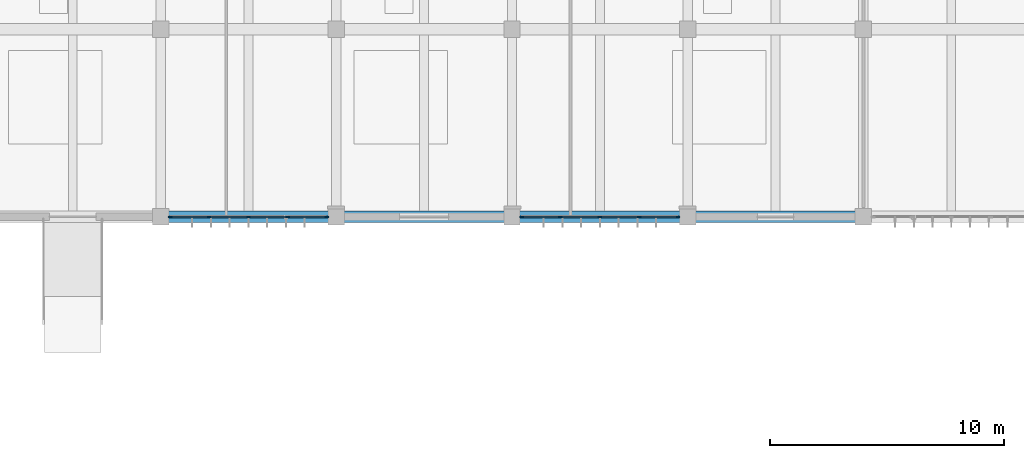
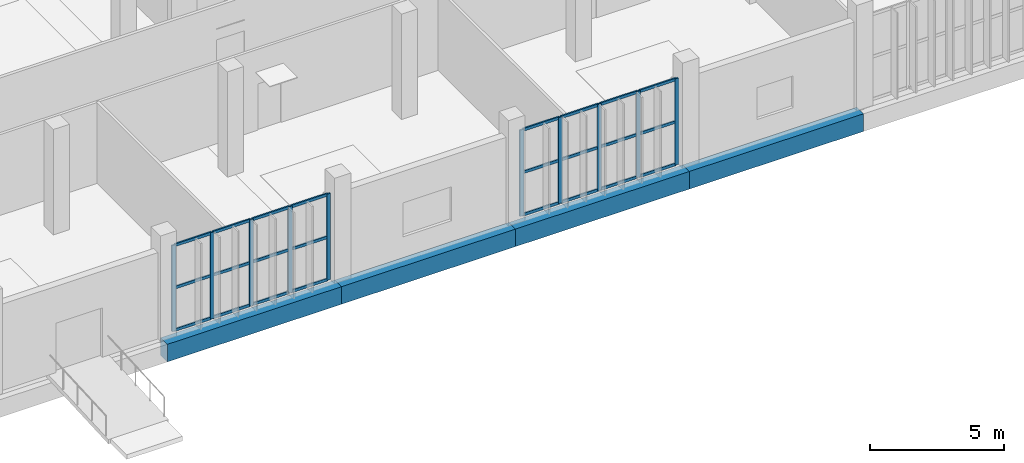
# One storey, part 17 of 72: 34 members, 4 beams, 2 elements without a shape of their own.
"""IFC4 building model written with IfcOpenShell, lengths in metres."""

from ifc_helpers import new_model, si_unit, direction, frame, origin, origin_2d, place, context, subcontext, project, spatial, rectangle, extrude, material, material_profile, profile_set, type_object, element, aggregate, save


model = new_model("IFC4")

# Units and contexts
model_context = context("Model", 3, precision=1e-05, world=origin(), true_north=direction((0.0, 1.0)))
body_context = subcontext(model_context, "Body", "Model", "MODEL_VIEW")
ifc_project = project(units=[si_unit("LENGTHUNIT", "METRE"), si_unit("AREAUNIT", "SQUARE_METRE"), si_unit("VOLUMEUNIT", "CUBIC_METRE"), si_unit("PLANEANGLEUNIT", "RADIAN"), si_unit("MASSUNIT", "GRAM", prefix="KILO")], contexts=[model_context])

# Site, building, storey
site_placement = place(None, origin())
site = spatial("IfcSite", under=ifc_project, at=site_placement, CompositionType="ELEMENT")
building_placement = place(site_placement, origin())
building = spatial("IfcBuilding", under=site, at=building_placement, Name="Vourika Railside Aquatics Centre", CompositionType="ELEMENT")
storey_placement = place(building_placement, origin())
storey = spatial("IfcBuildingStorey", under=building, at=storey_placement, Name="L00", CompositionType="ELEMENT", Elevation=0.0)

# Beams
ifc_material_1 = material(Name="Concrete C40/50", Category="concrete")
ifc_material_profile_1 = material_profile(ifc_material_1, rectangle(XDim=0.5, YDim=0.800048828125, at=origin_2d()), Name="RC 500x800")
ifc_profile_set_1 = profile_set([ifc_material_profile_1], Name="Concrete C40/50")
beam_type = type_object("IfcBeamType", Name="BM-TIE-500x800", PredefinedType="BEAM", material=ifc_profile_set_1)
for number, where, z_axis, x_axis, name in (
    (1, (66.0, 92.0, -0.719970703125), (1.0, 0.0, 0.0), (0.0, 1.0, 0.0), "Floor Beam GX-L00-130"),
    (2, (73.5, 92.0, -0.719970703125), (1.0, 0.0, 0.0), (0.0, 1.0, 0.0), "Floor Beam GX-L00-131"),
    (3, (81.0, 92.0, -0.719970703125), (1.0, 0.0, 0.0), (0.0, 1.0, 0.0), "Floor Beam GX-L00-132"),
    (4, (88.5, 92.0, -0.719970703125), (1.0, 0.0, 0.0), (0.0, 1.0, 0.0), "Floor Beam GX-L00-133"),
):
    element("IfcBeam", number, at=place(storey_placement, frame(where, z_axis=z_axis, x_axis=x_axis)), inside=storey, type_object=beam_type, Name=name, PredefinedType="BEAM", context=body_context, shape_type="SweptSolid", body=[
        extrude(rectangle(XDim=0.5, YDim=0.800048828125, at=origin_2d()), origin(), (0.0, 0.0, 1.0), 7.5),
    ])

# Curtain wall, members
ifc_material_2 = material(Name="Anodized thermally broken aluminium", Category="aluminium")
curtain_wall_type = type_object("IfcCurtainWallType", Name="CW-FIT0", PredefinedType="NOTDEFINED", material=ifc_material_2)
curtain_wall_1_placement = place(storey_placement, origin())
curtain_wall_1 = element("IfcCurtainWall", 5, at=curtain_wall_1_placement, inside=storey, type_object=curtain_wall_type, Name="Courtyard Fitness Curtain Wall L00-5", PredefinedType="NOTDEFINED")
ifc_material_3 = material(Name="Anodized aluminium mullion", Category="aluminium")
ifc_material_profile_2 = material_profile(ifc_material_3, rectangle(XDim=0.06494140625, YDim=0.1640625, at=origin_2d()), Name="ALU-M 65x164")
ifc_profile_set_2 = profile_set([ifc_material_profile_2], Name="Anodized aluminium mullion")
member_type_1 = type_object("IfcMemberType", Name="CWM-FIT0", PredefinedType="MULLION", material=ifc_profile_set_2)
member_1_placement = place(storey_placement, frame((66.41259765625, 92.0, 0.0), z_axis=(0.0, 0.0, 1.0), x_axis=(0.0, 1.0, 0.0)))
member_1 = element("IfcMember", 6, at=member_1_placement, type_object=member_type_1, Name="CW14 mullion 1", PredefinedType="MULLION", context=body_context, shape_type="SweptSolid", body=[
    extrude(rectangle(XDim=0.06494140625, YDim=0.1640625, at=origin_2d()), origin(), (0.0, 0.0, 1.0), 3.929931640625),
])
member_2_placement = place(storey_placement, frame((68.06494140625, 92.0, 0.0), z_axis=(0.0, 0.0, 1.0), x_axis=(0.0, 1.0, 0.0)))
member_2 = element("IfcMember", 7, at=member_2_placement, type_object=member_type_1, Name="CW14 mullion 2", PredefinedType="MULLION", context=body_context, shape_type="SweptSolid", body=[
    extrude(rectangle(XDim=0.06494140625, YDim=0.1640625, at=origin_2d()), origin(), (0.0, 0.0, 1.0), 3.929931640625),
])
member_3_placement = place(storey_placement, frame((69.75, 92.0, 0.0), z_axis=(0.0, 0.0, 1.0), x_axis=(0.0, 1.0, 0.0)))
member_3 = element("IfcMember", 8, at=member_3_placement, type_object=member_type_1, Name="CW14 mullion 3", PredefinedType="MULLION", context=body_context, shape_type="SweptSolid", body=[
    extrude(rectangle(XDim=0.06494140625, YDim=0.1640625, at=origin_2d()), origin(), (0.0, 0.0, 1.0), 3.929931640625),
])
member_4_placement = place(storey_placement, frame((71.43505859375, 92.0, 0.0), z_axis=(0.0, 0.0, 1.0), x_axis=(0.0, 1.0, 0.0)))
member_4 = element("IfcMember", 9, at=member_4_placement, type_object=member_type_1, Name="CW14 mullion 4", PredefinedType="MULLION", context=body_context, shape_type="SweptSolid", body=[
    extrude(rectangle(XDim=0.06494140625, YDim=0.1640625, at=origin_2d()), origin(), (0.0, 0.0, 1.0), 3.929931640625),
])
member_5_placement = place(storey_placement, frame((73.08740234375, 92.0, 0.0), z_axis=(0.0, 0.0, 1.0), x_axis=(0.0, 1.0, 0.0)))
member_5 = element("IfcMember", 10, at=member_5_placement, type_object=member_type_1, Name="CW14 mullion 5", PredefinedType="MULLION", context=body_context, shape_type="SweptSolid", body=[
    extrude(rectangle(XDim=0.06494140625, YDim=0.1640625, at=origin_2d()), origin(), (0.0, 0.0, 1.0), 3.929931640625),
])

curtain_wall_2_placement = place(storey_placement, origin())
curtain_wall_2 = element("IfcCurtainWall", 11, at=curtain_wall_2_placement, inside=storey, type_object=curtain_wall_type, Name="Courtyard Fitness Curtain Wall L00-7", PredefinedType="NOTDEFINED")
member_6_placement = place(storey_placement, frame((81.41259765625, 92.0, 0.0), z_axis=(0.0, 0.0, 1.0), x_axis=(0.0, 1.0, 0.0)))
member_6 = element("IfcMember", 12, at=member_6_placement, type_object=member_type_1, Name="CW14 mullion 1", PredefinedType="MULLION", context=body_context, shape_type="SweptSolid", body=[
    extrude(rectangle(XDim=0.06494140625, YDim=0.1640625, at=origin_2d()), origin(), (0.0, 0.0, 1.0), 3.929931640625),
])
member_7_placement = place(storey_placement, frame((83.06494140625, 92.0, 0.0), z_axis=(0.0, 0.0, 1.0), x_axis=(0.0, 1.0, 0.0)))
member_7 = element("IfcMember", 13, at=member_7_placement, type_object=member_type_1, Name="CW14 mullion 2", PredefinedType="MULLION", context=body_context, shape_type="SweptSolid", body=[
    extrude(rectangle(XDim=0.06494140625, YDim=0.1640625, at=origin_2d()), origin(), (0.0, 0.0, 1.0), 3.929931640625),
])
member_8_placement = place(storey_placement, frame((84.75, 92.0, 0.0), z_axis=(0.0, 0.0, 1.0), x_axis=(0.0, 1.0, 0.0)))
member_8 = element("IfcMember", 14, at=member_8_placement, type_object=member_type_1, Name="CW14 mullion 3", PredefinedType="MULLION", context=body_context, shape_type="SweptSolid", body=[
    extrude(rectangle(XDim=0.06494140625, YDim=0.1640625, at=origin_2d()), origin(), (0.0, 0.0, 1.0), 3.929931640625),
])
member_9_placement = place(storey_placement, frame((86.43505859375, 92.0, 0.0), z_axis=(0.0, 0.0, 1.0), x_axis=(0.0, 1.0, 0.0)))
member_9 = element("IfcMember", 15, at=member_9_placement, type_object=member_type_1, Name="CW14 mullion 4", PredefinedType="MULLION", context=body_context, shape_type="SweptSolid", body=[
    extrude(rectangle(XDim=0.06494140625, YDim=0.1640625, at=origin_2d()), origin(), (0.0, 0.0, 1.0), 3.929931640625),
])
member_10_placement = place(storey_placement, frame((88.08740234375, 92.0, 0.0), z_axis=(0.0, 0.0, 1.0), x_axis=(0.0, 1.0, 0.0)))
member_10 = element("IfcMember", 16, at=member_10_placement, type_object=member_type_1, Name="CW14 mullion 5", PredefinedType="MULLION", context=body_context, shape_type="SweptSolid", body=[
    extrude(rectangle(XDim=0.06494140625, YDim=0.1640625, at=origin_2d()), origin(), (0.0, 0.0, 1.0), 3.929931640625),
])

# Member
ifc_material_4 = material(Name="Anodized aluminium transom", Category="aluminium")
ifc_material_profile_3 = material_profile(ifc_material_4, rectangle(XDim=0.06494140625, YDim=0.1279296875, at=origin_2d()), Name="ALU-T 65x128")
ifc_profile_set_3 = profile_set([ifc_material_profile_3], Name="Anodized aluminium transom")
member_type_2 = type_object("IfcMemberType", Name="CWT-FIT0", PredefinedType="USERDEFINED", material=ifc_profile_set_3)
member_11_placement = place(storey_placement, frame((66.445068359375, 92.0, 0.032470703125), z_axis=(1.0, 0.0, 0.0), x_axis=(0.0, 1.0, 0.0)))
member_11 = element("IfcMember", 17, at=member_11_placement, type_object=member_type_2, Name="CW14 transom 1.1", ObjectType="TRANSOM", PredefinedType="USERDEFINED", context=body_context, shape_type="SweptSolid", body=[
    extrude(rectangle(XDim=0.06494140625, YDim=0.1279296875, at=origin_2d()), origin(), (0.0, 0.0, 1.0), 1.58740234375),
])

member_12_placement = place(storey_placement, frame((66.445068359375, 92.0, 1.965087890625), z_axis=(1.0, 0.0, 0.0), x_axis=(0.0, 1.0, 0.0)))
member_12 = element("IfcMember", 18, at=member_12_placement, type_object=member_type_2, Name="CW14 transom 1.2", ObjectType="TRANSOM", PredefinedType="USERDEFINED", context=body_context, shape_type="SweptSolid", body=[
    extrude(rectangle(XDim=0.06494140625, YDim=0.1279296875, at=origin_2d()), origin(), (0.0, 0.0, 1.0), 1.58740234375),
])

member_13_placement = place(storey_placement, frame((66.445068359375, 92.0, 3.8974609375), z_axis=(1.0, 0.0, 0.0), x_axis=(0.0, 1.0, 0.0)))
member_13 = element("IfcMember", 19, at=member_13_placement, type_object=member_type_2, Name="CW14 transom 1.3", ObjectType="TRANSOM", PredefinedType="USERDEFINED", context=body_context, shape_type="SweptSolid", body=[
    extrude(rectangle(XDim=0.06494140625, YDim=0.1279296875, at=origin_2d()), origin(), (0.0, 0.0, 1.0), 1.58740234375),
])

member_14_placement = place(storey_placement, frame((68.097412109375, 92.0, 0.032470703125), z_axis=(1.0, 0.0, 0.0), x_axis=(0.0, 1.0, 0.0)))
member_14 = element("IfcMember", 20, at=member_14_placement, type_object=member_type_2, Name="CW14 transom 2.1", ObjectType="TRANSOM", PredefinedType="USERDEFINED", context=body_context, shape_type="SweptSolid", body=[
    extrude(rectangle(XDim=0.06494140625, YDim=0.1279296875, at=origin_2d()), origin(), (0.0, 0.0, 1.0), 1.6201171875),
])

member_15_placement = place(storey_placement, frame((68.097412109375, 92.0, 1.965087890625), z_axis=(1.0, 0.0, 0.0), x_axis=(0.0, 1.0, 0.0)))
member_15 = element("IfcMember", 21, at=member_15_placement, type_object=member_type_2, Name="CW14 transom 2.2", ObjectType="TRANSOM", PredefinedType="USERDEFINED", context=body_context, shape_type="SweptSolid", body=[
    extrude(rectangle(XDim=0.06494140625, YDim=0.1279296875, at=origin_2d()), origin(), (0.0, 0.0, 1.0), 1.6201171875),
])

member_16_placement = place(storey_placement, frame((68.097412109375, 92.0, 3.8974609375), z_axis=(1.0, 0.0, 0.0), x_axis=(0.0, 1.0, 0.0)))
member_16 = element("IfcMember", 22, at=member_16_placement, type_object=member_type_2, Name="CW14 transom 2.3", ObjectType="TRANSOM", PredefinedType="USERDEFINED", context=body_context, shape_type="SweptSolid", body=[
    extrude(rectangle(XDim=0.06494140625, YDim=0.1279296875, at=origin_2d()), origin(), (0.0, 0.0, 1.0), 1.6201171875),
])

member_17_placement = place(storey_placement, frame((69.782470703125, 92.0, 0.032470703125), z_axis=(1.0, 0.0, 0.0), x_axis=(0.0, 1.0, 0.0)))
member_17 = element("IfcMember", 23, at=member_17_placement, type_object=member_type_2, Name="CW14 transom 3.1", ObjectType="TRANSOM", PredefinedType="USERDEFINED", context=body_context, shape_type="SweptSolid", body=[
    extrude(rectangle(XDim=0.06494140625, YDim=0.1279296875, at=origin_2d()), origin(), (0.0, 0.0, 1.0), 1.6201171875),
])

member_18_placement = place(storey_placement, frame((69.782470703125, 92.0, 1.965087890625), z_axis=(1.0, 0.0, 0.0), x_axis=(0.0, 1.0, 0.0)))
member_18 = element("IfcMember", 24, at=member_18_placement, type_object=member_type_2, Name="CW14 transom 3.2", ObjectType="TRANSOM", PredefinedType="USERDEFINED", context=body_context, shape_type="SweptSolid", body=[
    extrude(rectangle(XDim=0.06494140625, YDim=0.1279296875, at=origin_2d()), origin(), (0.0, 0.0, 1.0), 1.6201171875),
])

member_19_placement = place(storey_placement, frame((69.782470703125, 92.0, 3.8974609375), z_axis=(1.0, 0.0, 0.0), x_axis=(0.0, 1.0, 0.0)))
member_19 = element("IfcMember", 25, at=member_19_placement, type_object=member_type_2, Name="CW14 transom 3.3", ObjectType="TRANSOM", PredefinedType="USERDEFINED", context=body_context, shape_type="SweptSolid", body=[
    extrude(rectangle(XDim=0.06494140625, YDim=0.1279296875, at=origin_2d()), origin(), (0.0, 0.0, 1.0), 1.6201171875),
])

member_20_placement = place(storey_placement, frame((71.467529296875, 92.0, 0.032470703125), z_axis=(1.0, 0.0, 0.0), x_axis=(0.0, 1.0, 0.0)))
member_20 = element("IfcMember", 26, at=member_20_placement, type_object=member_type_2, Name="CW14 transom 4.1", ObjectType="TRANSOM", PredefinedType="USERDEFINED", context=body_context, shape_type="SweptSolid", body=[
    extrude(rectangle(XDim=0.06494140625, YDim=0.1279296875, at=origin_2d()), origin(), (0.0, 0.0, 1.0), 1.58740234375),
])

member_21_placement = place(storey_placement, frame((71.467529296875, 92.0, 1.965087890625), z_axis=(1.0, 0.0, 0.0), x_axis=(0.0, 1.0, 0.0)))
member_21 = element("IfcMember", 27, at=member_21_placement, type_object=member_type_2, Name="CW14 transom 4.2", ObjectType="TRANSOM", PredefinedType="USERDEFINED", context=body_context, shape_type="SweptSolid", body=[
    extrude(rectangle(XDim=0.06494140625, YDim=0.1279296875, at=origin_2d()), origin(), (0.0, 0.0, 1.0), 1.58740234375),
])

member_22_placement = place(storey_placement, frame((71.467529296875, 92.0, 3.8974609375), z_axis=(1.0, 0.0, 0.0), x_axis=(0.0, 1.0, 0.0)))
member_22 = element("IfcMember", 28, at=member_22_placement, type_object=member_type_2, Name="CW14 transom 4.3", ObjectType="TRANSOM", PredefinedType="USERDEFINED", context=body_context, shape_type="SweptSolid", body=[
    extrude(rectangle(XDim=0.06494140625, YDim=0.1279296875, at=origin_2d()), origin(), (0.0, 0.0, 1.0), 1.58740234375),
])

aggregate(curtain_wall_1, [member_1, member_2, member_3, member_4, member_5, member_11, member_12, member_13, member_14, member_15, member_16, member_17, member_18, member_19, member_20, member_21, member_22])

member_23_placement = place(storey_placement, frame((81.445068359375, 92.0, 0.032470703125), z_axis=(1.0, 0.0, 0.0), x_axis=(0.0, 1.0, 0.0)))
member_23 = element("IfcMember", 29, at=member_23_placement, type_object=member_type_2, Name="CW14 transom 1.1", ObjectType="TRANSOM", PredefinedType="USERDEFINED", context=body_context, shape_type="SweptSolid", body=[
    extrude(rectangle(XDim=0.06494140625, YDim=0.1279296875, at=origin_2d()), origin(), (0.0, 0.0, 1.0), 1.58740234375),
])

member_24_placement = place(storey_placement, frame((81.445068359375, 92.0, 1.965087890625), z_axis=(1.0, 0.0, 0.0), x_axis=(0.0, 1.0, 0.0)))
member_24 = element("IfcMember", 30, at=member_24_placement, type_object=member_type_2, Name="CW14 transom 1.2", ObjectType="TRANSOM", PredefinedType="USERDEFINED", context=body_context, shape_type="SweptSolid", body=[
    extrude(rectangle(XDim=0.06494140625, YDim=0.1279296875, at=origin_2d()), origin(), (0.0, 0.0, 1.0), 1.58740234375),
])

member_25_placement = place(storey_placement, frame((81.445068359375, 92.0, 3.8974609375), z_axis=(1.0, 0.0, 0.0), x_axis=(0.0, 1.0, 0.0)))
member_25 = element("IfcMember", 31, at=member_25_placement, type_object=member_type_2, Name="CW14 transom 1.3", ObjectType="TRANSOM", PredefinedType="USERDEFINED", context=body_context, shape_type="SweptSolid", body=[
    extrude(rectangle(XDim=0.06494140625, YDim=0.1279296875, at=origin_2d()), origin(), (0.0, 0.0, 1.0), 1.58740234375),
])

member_26_placement = place(storey_placement, frame((83.097412109375, 92.0, 0.032470703125), z_axis=(1.0, 0.0, 0.0), x_axis=(0.0, 1.0, 0.0)))
member_26 = element("IfcMember", 32, at=member_26_placement, type_object=member_type_2, Name="CW14 transom 2.1", ObjectType="TRANSOM", PredefinedType="USERDEFINED", context=body_context, shape_type="SweptSolid", body=[
    extrude(rectangle(XDim=0.06494140625, YDim=0.1279296875, at=origin_2d()), origin(), (0.0, 0.0, 1.0), 1.6201171875),
])

member_27_placement = place(storey_placement, frame((83.097412109375, 92.0, 1.965087890625), z_axis=(1.0, 0.0, 0.0), x_axis=(0.0, 1.0, 0.0)))
member_27 = element("IfcMember", 33, at=member_27_placement, type_object=member_type_2, Name="CW14 transom 2.2", ObjectType="TRANSOM", PredefinedType="USERDEFINED", context=body_context, shape_type="SweptSolid", body=[
    extrude(rectangle(XDim=0.06494140625, YDim=0.1279296875, at=origin_2d()), origin(), (0.0, 0.0, 1.0), 1.6201171875),
])

member_28_placement = place(storey_placement, frame((83.097412109375, 92.0, 3.8974609375), z_axis=(1.0, 0.0, 0.0), x_axis=(0.0, 1.0, 0.0)))
member_28 = element("IfcMember", 34, at=member_28_placement, type_object=member_type_2, Name="CW14 transom 2.3", ObjectType="TRANSOM", PredefinedType="USERDEFINED", context=body_context, shape_type="SweptSolid", body=[
    extrude(rectangle(XDim=0.06494140625, YDim=0.1279296875, at=origin_2d()), origin(), (0.0, 0.0, 1.0), 1.6201171875),
])

member_29_placement = place(storey_placement, frame((84.782470703125, 92.0, 0.032470703125), z_axis=(1.0, 0.0, 0.0), x_axis=(0.0, 1.0, 0.0)))
member_29 = element("IfcMember", 35, at=member_29_placement, type_object=member_type_2, Name="CW14 transom 3.1", ObjectType="TRANSOM", PredefinedType="USERDEFINED", context=body_context, shape_type="SweptSolid", body=[
    extrude(rectangle(XDim=0.06494140625, YDim=0.1279296875, at=origin_2d()), origin(), (0.0, 0.0, 1.0), 1.6201171875),
])

member_30_placement = place(storey_placement, frame((84.782470703125, 92.0, 1.965087890625), z_axis=(1.0, 0.0, 0.0), x_axis=(0.0, 1.0, 0.0)))
member_30 = element("IfcMember", 36, at=member_30_placement, type_object=member_type_2, Name="CW14 transom 3.2", ObjectType="TRANSOM", PredefinedType="USERDEFINED", context=body_context, shape_type="SweptSolid", body=[
    extrude(rectangle(XDim=0.06494140625, YDim=0.1279296875, at=origin_2d()), origin(), (0.0, 0.0, 1.0), 1.6201171875),
])

member_31_placement = place(storey_placement, frame((84.782470703125, 92.0, 3.8974609375), z_axis=(1.0, 0.0, 0.0), x_axis=(0.0, 1.0, 0.0)))
member_31 = element("IfcMember", 37, at=member_31_placement, type_object=member_type_2, Name="CW14 transom 3.3", ObjectType="TRANSOM", PredefinedType="USERDEFINED", context=body_context, shape_type="SweptSolid", body=[
    extrude(rectangle(XDim=0.06494140625, YDim=0.1279296875, at=origin_2d()), origin(), (0.0, 0.0, 1.0), 1.6201171875),
])

member_32_placement = place(storey_placement, frame((86.467529296875, 92.0, 0.032470703125), z_axis=(1.0, 0.0, 0.0), x_axis=(0.0, 1.0, 0.0)))
member_32 = element("IfcMember", 38, at=member_32_placement, type_object=member_type_2, Name="CW14 transom 4.1", ObjectType="TRANSOM", PredefinedType="USERDEFINED", context=body_context, shape_type="SweptSolid", body=[
    extrude(rectangle(XDim=0.06494140625, YDim=0.1279296875, at=origin_2d()), origin(), (0.0, 0.0, 1.0), 1.58740234375),
])

member_33_placement = place(storey_placement, frame((86.467529296875, 92.0, 1.965087890625), z_axis=(1.0, 0.0, 0.0), x_axis=(0.0, 1.0, 0.0)))
member_33 = element("IfcMember", 39, at=member_33_placement, type_object=member_type_2, Name="CW14 transom 4.2", ObjectType="TRANSOM", PredefinedType="USERDEFINED", context=body_context, shape_type="SweptSolid", body=[
    extrude(rectangle(XDim=0.06494140625, YDim=0.1279296875, at=origin_2d()), origin(), (0.0, 0.0, 1.0), 1.58740234375),
])

member_34_placement = place(storey_placement, frame((86.467529296875, 92.0, 3.8974609375), z_axis=(1.0, 0.0, 0.0), x_axis=(0.0, 1.0, 0.0)))
member_34 = element("IfcMember", 40, at=member_34_placement, type_object=member_type_2, Name="CW14 transom 4.3", ObjectType="TRANSOM", PredefinedType="USERDEFINED", context=body_context, shape_type="SweptSolid", body=[
    extrude(rectangle(XDim=0.06494140625, YDim=0.1279296875, at=origin_2d()), origin(), (0.0, 0.0, 1.0), 1.58740234375),
])

aggregate(curtain_wall_2, [member_6, member_7, member_8, member_9, member_10, member_23, member_24, member_25, member_26, member_27, member_28, member_29, member_30, member_31, member_32, member_33, member_34])

save(model, "model.ifc")
